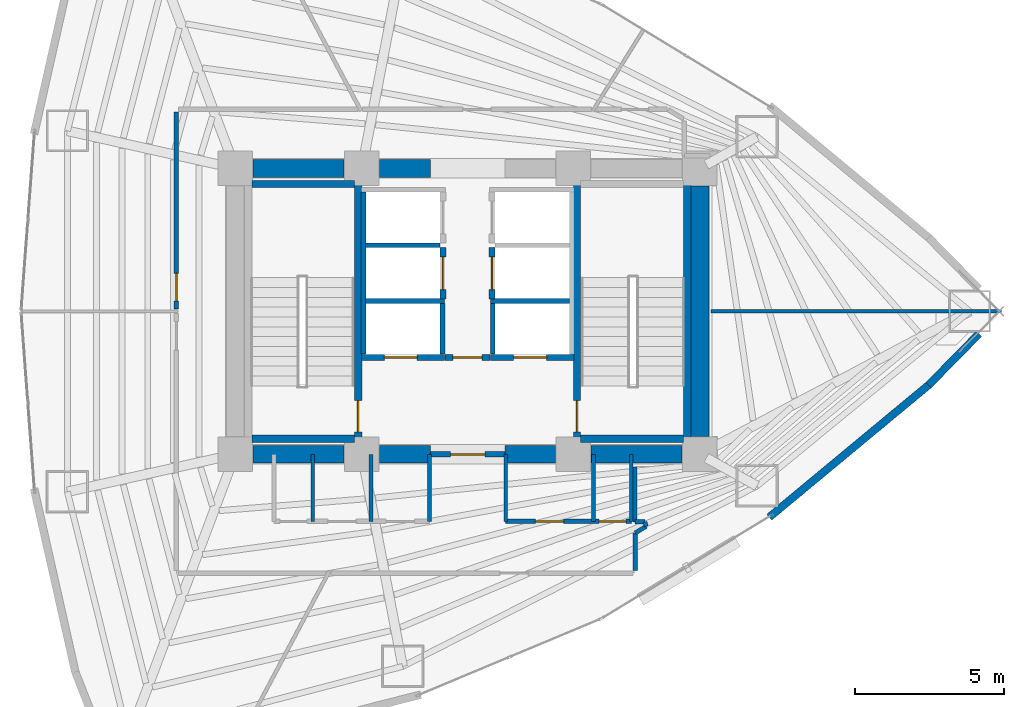
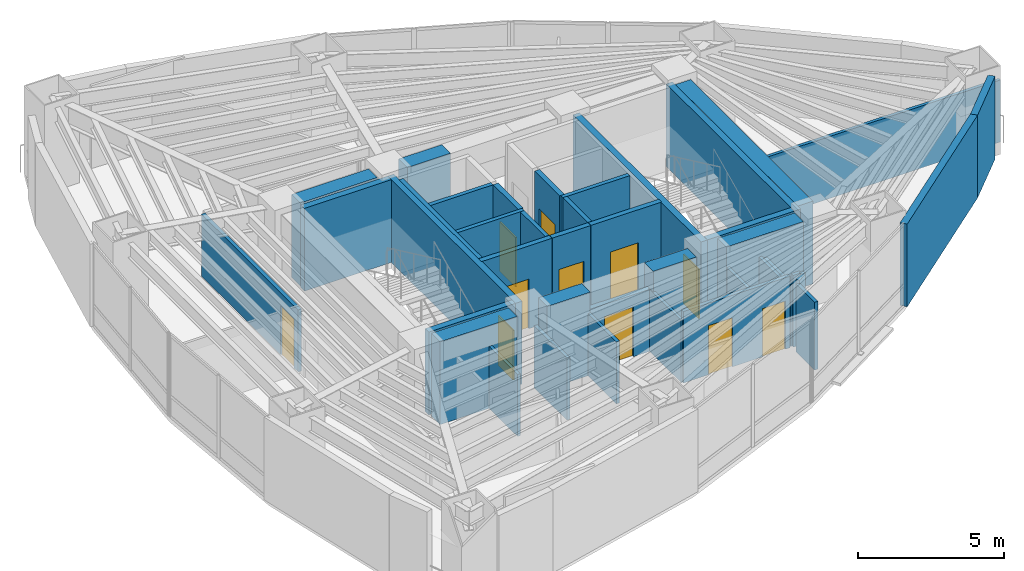
# One storey, part 14 of 18: 41 walls, 11 doors, 11 openings.
"""IFC4 building model written with IfcOpenShell, lengths in metres."""

from ifc_helpers import new_model, si_unit, direction, frame, frame_2d, origin, place, context, subcontext, project, spatial, rectangle, extrude, material, layer, layer_set, type_object, element, fill, save


model = new_model("IFC4")

# Units and contexts
model_context = context("Model", 3, precision=1e-05, world=origin(), true_north=direction((0.0, 1.0)))
body_context = subcontext(model_context, "Body", "Model", "MODEL_VIEW")
ifc_project = project(units=[si_unit("LENGTHUNIT", "METRE"), si_unit("AREAUNIT", "SQUARE_METRE"), si_unit("VOLUMEUNIT", "CUBIC_METRE"), si_unit("PLANEANGLEUNIT", "RADIAN"), si_unit("MASSUNIT", "GRAM", prefix="KILO")], contexts=[model_context])

# Site, building, storey
site_placement = place(None, origin())
site = spatial("IfcSite", under=ifc_project, at=site_placement, CompositionType="ELEMENT")
building_placement = place(site_placement, origin())
building = spatial("IfcBuilding", under=site, at=building_placement, Name="Menara Vayukalpa", CompositionType="ELEMENT")
storey_placement = place(building_placement, frame((0.0, 0.0, 31.320068359375)))
storey = spatial("IfcBuildingStorey", under=building, at=storey_placement, Name="L06", CompositionType="ELEMENT", Elevation=31.320068359375)

# Walls
ifc_material_1 = material(Name="Concrete C70/85", Category="concrete")
ifc_layer_1 = layer(ifc_material_1, 0.60009765625)
ifc_layer_set_1 = layer_set([ifc_layer_1], Name="Concrete C70/85")
wall_type_1 = type_object("IfcWallType", Name="WAL-CW600", PredefinedType="SHEAR", material=ifc_layer_set_1)
wall_1_placement = place(storey_placement, frame((18.39501953125, 17.199951171875, 0.0), z_axis=(0.0, 0.0, 1.0), x_axis=(1.0, 0.0, 0.0)))
element("IfcWall", 1, at=wall_1_placement, inside=storey, type_object=wall_type_1, Name="L06 Buttressed Core Shear Wall CWS1", PredefinedType="SHEAR", context=body_context, shape_type="SweptSolid", body=[
    extrude(rectangle(XDim=3.06005859375, YDim=0.60009765625, at=frame_2d((1.530029296875, 0.0))), origin(), (0.0, 0.0, 1.0), 3.469970703125),
])
wall_2_placement = place(storey_placement, frame((22.64501953125, 17.199951171875, 0.0), z_axis=(0.0, 0.0, 1.0), x_axis=(1.0, 0.0, 0.0)))
element("IfcWall", 2, at=wall_2_placement, inside=storey, type_object=wall_type_1, Name="L06 Buttressed Core Shear Wall CWS2", PredefinedType="SHEAR", context=body_context, shape_type="SweptSolid", body=[
    extrude(rectangle(XDim=1.705078125, YDim=0.60009765625, at=frame_2d((0.8525390625, 0.0))), origin(), (0.0, 0.0, 1.0), 3.469970703125),
])
wall_3_placement = place(storey_placement, frame((26.85009765625, 17.199951171875, 0.0), z_axis=(0.0, 0.0, 1.0), x_axis=(1.0, 0.0, 0.0)))
element("IfcWall", 3, at=wall_3_placement, inside=storey, type_object=wall_type_1, Name="L06 Buttressed Core Shear Wall CWS3", PredefinedType="SHEAR", context=body_context, shape_type="SweptSolid", body=[
    extrude(rectangle(XDim=1.704833984375, YDim=0.60009765625, at=frame_2d((0.8525390625, 0.0))), origin(), (0.0, 0.0, 1.0), 3.469970703125),
])
wall_4_placement = place(storey_placement, frame((29.7451171875, 17.199951171875, 0.0), z_axis=(0.0, 0.0, 1.0), x_axis=(1.0, 0.0, 0.0)))
element("IfcWall", 4, at=wall_4_placement, inside=storey, type_object=wall_type_1, Name="L06 Buttressed Core Shear Wall CWS4", PredefinedType="SHEAR", context=body_context, shape_type="SweptSolid", body=[
    extrude(rectangle(XDim=3.059814453125, YDim=0.60009765625, at=frame_2d((1.52978515625, 0.0))), origin(), (0.0, 0.0, 1.0), 3.469970703125),
])
wall_5_placement = place(storey_placement, frame((18.39501953125, 26.800048828125, 0.0), z_axis=(0.0, 0.0, 1.0), x_axis=(1.0, 0.0, 0.0)))
element("IfcWall", 5, at=wall_5_placement, inside=storey, type_object=wall_type_1, Name="L06 Buttressed Core Shear Wall CWN1", PredefinedType="SHEAR", context=body_context, shape_type="SweptSolid", body=[
    extrude(rectangle(XDim=3.06005859375, YDim=0.60009765625, at=frame_2d((1.530029296875, 0.0))), origin(), (0.0, 0.0, 1.0), 3.469970703125),
])
wall_6_placement = place(storey_placement, frame((22.64501953125, 26.800048828125, 0.0), z_axis=(0.0, 0.0, 1.0), x_axis=(1.0, 0.0, 0.0)))
element("IfcWall", 6, at=wall_6_placement, inside=storey, type_object=wall_type_1, Name="L06 Buttressed Core Shear Wall CWN2", PredefinedType="SHEAR", context=body_context, shape_type="SweptSolid", body=[
    extrude(rectangle(XDim=1.705078125, YDim=0.60009765625, at=frame_2d((0.8525390625, 0.0))), origin(), (0.0, 0.0, 1.0), 3.469970703125),
])
wall_7_placement = place(storey_placement, frame((33.39990234375, 17.794921875, 0.0), z_axis=(0.0, 0.0, 1.0), x_axis=(0.0, 1.0, 0.0)))
element("IfcWall", 7, at=wall_7_placement, inside=storey, type_object=wall_type_1, Name="L06 Buttressed Core Shear Wall CWE1", PredefinedType="SHEAR", context=body_context, shape_type="SweptSolid", body=[
    extrude(rectangle(XDim=8.41015625, YDim=0.60009765625, at=frame_2d((4.205078125, 0.0))), origin(), (0.0, 0.0, 1.0), 3.469970703125),
])
ifc_material_2 = material(Name="Insulated Precast Concrete C40/50", Category="concrete")
ifc_layer_2 = layer(ifc_material_2, 0.260009765625)
ifc_layer_set_2 = layer_set([ifc_layer_2], Name="Insulated Precast Concrete C40/50")
wall_type_2 = type_object("IfcWallType", Name="WAL-EXT260", PredefinedType="PARTITIONING", material=ifc_layer_set_2)
wall_8_placement = place(storey_placement, frame((42.770263671875, 21.24169921875, 0.0), z_axis=(0.0, 0.0, 1.0), x_axis=(-0.70059851419, -0.713555689427, 0.0)))
element("IfcWall", 8, at=wall_8_placement, inside=storey, type_object=wall_type_2, Name="L06 Perimeter Terracotta Pier Wall 01", PredefinedType="PARTITIONING", context=body_context, shape_type="SweptSolid", body=[
    extrude(rectangle(XDim=2.411865234375, YDim=0.260009765625, at=frame_2d((1.2060546875, 0.0))), origin(), (0.0, 0.0, 1.0), 3.469970703125),
])
wall_9_placement = place(storey_placement, frame((41.08935546875, 19.52880859375, 0.0), z_axis=(0.0, 0.0, 1.0), x_axis=(-0.769754596928, -0.638339925517, 0.0)))
element("IfcWall", 9, at=wall_9_placement, inside=storey, type_object=wall_type_2, Name="L06 Perimeter Terracotta Pier Wall 18", PredefinedType="PARTITIONING", context=body_context, shape_type="SweptSolid", body=[
    extrude(rectangle(XDim=6.959228515625, YDim=0.260009765625, at=frame_2d((3.4794921875, 0.0))), origin(), (0.0, 0.0, 1.0), 3.469970703125),
])
ifc_material_3 = material(Name="Lightweight Concrete Blockwork C16/20", Category="masonry")
ifc_layer_3 = layer(ifc_material_3, 0.159912109375)
ifc_layer_set_3 = layer_set([ifc_layer_3], Name="Lightweight Concrete Blockwork C16/20")
wall_type_3 = type_object("IfcWallType", Name="WAL-FR150", PredefinedType="PARTITIONING", material=ifc_layer_set_3)
wall_10_placement = place(storey_placement, frame((22.10498046875, 20.56005859375, 0.0), z_axis=(0.0, 0.0, 1.0), x_axis=(0.0, 1.0, 0.0)))
element("IfcWall", 10, at=wall_10_placement, inside=storey, type_object=wall_type_3, Name="L06 Interior Partition IW-L06-SHW-WW", PredefinedType="PARTITIONING", context=body_context, shape_type="SweptSolid", body=[
    extrude(rectangle(XDim=5.449951171875, YDim=0.159912109375, at=frame_2d((2.72509765625, 0.0))), origin(), (0.0, 0.0, 1.0), 3.469970703125),
])
wall_11_placement = place(storey_placement, frame((24.7548828125, 20.56005859375, 0.0), z_axis=(0.0, 0.0, 1.0), x_axis=(0.0, 1.0, 0.0)))
element("IfcWall", 11, at=wall_11_placement, inside=storey, type_object=wall_type_3, Name="L06 Interior Partition IW-L06-SHW-W1E", PredefinedType="PARTITIONING", context=body_context, shape_type="SweptSolid", body=[
    extrude(rectangle(XDim=1.7099609375, YDim=0.159912109375, at=frame_2d((0.85498046875, 0.0))), origin(), (0.0, 0.0, 1.0), 3.469970703125),
])
wall_12_placement = place(storey_placement, frame((22.179931640625, 22.344970703125, 0.0), z_axis=(0.0, 0.0, 1.0), x_axis=(1.0, 0.0, 0.0)))
element("IfcWall", 12, at=wall_12_placement, inside=storey, type_object=wall_type_3, Name="L06 Interior Partition IW-L06-SHM-W12", PredefinedType="PARTITIONING", context=body_context, shape_type="SweptSolid", body=[
    extrude(rectangle(XDim=2.650146484375, YDim=0.159912109375, at=frame_2d((1.3251953125, 0.0))), origin(), (0.0, 0.0, 1.0), 3.469970703125),
])
wall_13_placement = place(storey_placement, frame((22.179931640625, 24.215087890625, 0.0), z_axis=(0.0, 0.0, 1.0), x_axis=(1.0, 0.0, 0.0)))
element("IfcWall", 13, at=wall_13_placement, inside=storey, type_object=wall_type_3, Name="L06 Interior Partition IW-L06-SHM-W23", PredefinedType="PARTITIONING", context=body_context, shape_type="SweptSolid", body=[
    extrude(rectangle(XDim=2.489990234375, YDim=0.159912109375, at=frame_2d((1.2451171875, 0.0))), origin(), (0.0, 0.0, 1.0), 3.469970703125),
])
wall_14_placement = place(storey_placement, frame((26.445068359375, 20.56005859375, 0.0), z_axis=(0.0, 0.0, 1.0), x_axis=(0.0, 1.0, 0.0)))
element("IfcWall", 14, at=wall_14_placement, inside=storey, type_object=wall_type_3, Name="L06 Interior Partition IW-L06-SHW-E1W", PredefinedType="PARTITIONING", context=body_context, shape_type="SweptSolid", body=[
    extrude(rectangle(XDim=1.7099609375, YDim=0.159912109375, at=frame_2d((0.85498046875, 0.0))), origin(), (0.0, 0.0, 1.0), 3.469970703125),
])
wall_15_placement = place(storey_placement, frame((26.3701171875, 22.344970703125, 0.0), z_axis=(0.0, 0.0, 1.0), x_axis=(1.0, 0.0, 0.0)))
element("IfcWall", 15, at=wall_15_placement, inside=storey, type_object=wall_type_3, Name="L06 Interior Partition IW-L06-SHM-E13", PredefinedType="PARTITIONING", context=body_context, shape_type="SweptSolid", body=[
    extrude(rectangle(XDim=2.64990234375, YDim=0.159912109375, at=frame_2d((1.324951171875, 0.0))), origin(), (0.0, 0.0, 1.0), 3.469970703125),
])

# Wall, opening, door
ifc_material_4 = material(Name="Lightweight Concrete Blockwork C16/20", Category="masonry")
ifc_layer_4 = layer(ifc_material_4, 0.199951171875)
ifc_layer_set_4 = layer_set([ifc_layer_4], Name="Lightweight Concrete Blockwork C16/20")
wall_type_4 = type_object("IfcWallType", Name="WAL-FR200", PredefinedType="PARTITIONING", material=ifc_layer_set_4)
wall_16_placement = place(storey_placement, frame((24.35009765625, 17.199951171875, 0.0), z_axis=(0.0, 0.0, 1.0), x_axis=(1.0, 0.0, 0.0)))
wall_16 = element("IfcWall", 16, at=wall_16_placement, inside=storey, type_object=wall_type_4, Name="L06 Interior Partition IW-L06-FFLS", PredefinedType="PARTITIONING", context=body_context, shape_type="SweptSolid", body=[
    extrude(rectangle(XDim=2.5, YDim=0.199951171875, at=frame_2d((1.25, 0.0))), origin(), (0.0, 0.0, 1.0), 2.599853515625),
])
opening_1_placement = place(wall_16_placement, frame((0.679931640625, 0.0, 0.0)))
opening_1 = element("IfcOpeningElement", 17, at=opening_1_placement, cuts=wall_16, Name="Opening ID2", PredefinedType="OPENING", context=body_context, shape_type="SweptSolid", body=[
    extrude(rectangle(XDim=1.14990234375, YDim=2.080078125, at=frame_2d((0.574951171875, 1.0400390625))), frame((0.0, 0.10986328125, 0.0), z_axis=(0.0, -1.0, 0.0), x_axis=(1.0, 0.0, 0.0)), (0.0, 0.0, 1.0), 0.219970703125),
])
ifc_material_5 = material(Name="Fire-Rated Powder-Coated Steel Door", Category="steel")
door_type_1 = type_object("IfcDoorType", Name="DR-FD60W", OperationType="NOTDEFINED", PredefinedType="DOOR", material=ifc_material_5)
door_1_placement = place(opening_1_placement, origin())
door_1 = element("IfcDoor", 18, at=door_1_placement, inside=storey, type_object=door_type_1, Name="L06 Interior Door DR-L06-FFLS", OperationType="SINGLE_SWING_LEFT", OverallHeight=2.080078125, OverallWidth=1.14990234375, PredefinedType="DOOR", context=body_context, shape_type="SweptSolid", body=[
    extrude(rectangle(XDim=1.14990234375, YDim=2.080078125, at=frame_2d((0.574951171875, 1.0400390625))), frame((0.0, 0.02490234375, 0.0), z_axis=(0.0, -1.0, 0.0), x_axis=(1.0, 0.0, 0.0)), (0.0, 0.0, 1.0), 0.050048828125),
])
fill(opening_1, door_1)

wall_17_placement = place(storey_placement, frame((24.840087890625, 20.449951171875, 0.0), z_axis=(0.0, 0.0, 1.0), x_axis=(1.0, 0.0, 0.0)))
wall_17 = element("IfcWall", 19, at=wall_17_placement, inside=storey, type_object=wall_type_4, Name="L06 Interior Partition IW-L06-FFLN", PredefinedType="PARTITIONING", context=body_context, shape_type="SweptSolid", body=[
    extrude(rectangle(XDim=1.52001953125, YDim=0.199951171875, at=frame_2d((0.760009765625, 0.0))), origin(), (0.0, 0.0, 1.0), 3.469970703125),
])
opening_2_placement = place(wall_17_placement, frame((0.27001953125, 0.0, 0.0)))
opening_2 = element("IfcOpeningElement", 20, at=opening_2_placement, cuts=wall_17, Name="Opening ID3", PredefinedType="OPENING", context=body_context, shape_type="SweptSolid", body=[
    extrude(rectangle(XDim=0.97998046875, YDim=2.06005859375, at=frame_2d((0.489990234375, 1.030029296875))), frame((0.0, 0.10986328125, 0.0), z_axis=(0.0, -1.0, 0.0), x_axis=(1.0, 0.0, 0.0)), (0.0, 0.0, 1.0), 0.219970703125),
])
ifc_material_6 = material(Name="Fire-Rated Powder-Coated Steel Door", Category="steel")
door_type_2 = type_object("IfcDoorType", Name="DR-FD60", OperationType="NOTDEFINED", PredefinedType="DOOR", material=ifc_material_6)
door_2_placement = place(opening_2_placement, origin())
door_2 = element("IfcDoor", 21, at=door_2_placement, inside=storey, type_object=door_type_2, Name="L06 Interior Door DR-L06-FFLN", OperationType="SINGLE_SWING_RIGHT", OverallHeight=2.06005859375, OverallWidth=0.97998046875, PredefinedType="DOOR", context=body_context, shape_type="SweptSolid", body=[
    extrude(rectangle(XDim=0.97998046875, YDim=2.06005859375, at=frame_2d((0.489990234375, 1.030029296875))), frame((0.0, 0.02490234375, 0.0), z_axis=(0.0, -1.0, 0.0), x_axis=(1.0, 0.0, 0.0)), (0.0, 0.0, 1.0), 0.050048828125),
])
fill(opening_2, door_2)

wall_18_placement = place(storey_placement, frame((22.030029296875, 20.449951171875, 0.0), z_axis=(0.0, 0.0, 1.0), x_axis=(1.0, 0.0, 0.0)))
wall_18 = element("IfcWall", 22, at=wall_18_placement, inside=storey, type_object=wall_type_4, Name="L06 Interior Partition IW-L06-SH-W1", PredefinedType="PARTITIONING", context=body_context, shape_type="SweptSolid", body=[
    extrude(rectangle(XDim=2.800048828125, YDim=0.199951171875, at=frame_2d((1.39990234375, 0.0))), origin(), (0.0, 0.0, 1.0), 3.469970703125),
])
opening_3_placement = place(wall_18_placement, frame((0.780029296875, 0.0, 0.0)))
opening_3 = element("IfcOpeningElement", 23, at=opening_3_placement, cuts=wall_18, Name="Opening LD1", PredefinedType="OPENING", context=body_context, shape_type="SweptSolid", body=[
    extrude(rectangle(XDim=1.10009765625, YDim=2.080078125, at=frame_2d((0.550048828125, 1.0400390625))), frame((0.0, 0.10986328125, 0.0), z_axis=(0.0, -1.0, 0.0), x_axis=(1.0, 0.0, 0.0)), (0.0, 0.0, 1.0), 0.219970703125),
])
ifc_material_7 = material(Name="Brushed Stainless Steel 316 Lift Door", Category="steel")
door_type_3 = type_object("IfcDoorType", Name="DR-LD110", OperationType="NOTDEFINED", PredefinedType="DOOR", material=ifc_material_7)
door_3_placement = place(opening_3_placement, origin())
door_3 = element("IfcDoor", 24, at=door_3_placement, inside=storey, type_object=door_type_3, Name="L06 Interior Door DR-L06-LD-W1", OperationType="DOUBLE_DOOR_SLIDING", OverallHeight=2.080078125, OverallWidth=1.10009765625, PredefinedType="DOOR", context=body_context, shape_type="SweptSolid", body=[
    extrude(rectangle(XDim=1.10009765625, YDim=2.080078125, at=frame_2d((0.550048828125, 1.0400390625))), frame((0.0, 0.02490234375, 0.0), z_axis=(0.0, -1.0, 0.0), x_axis=(1.0, 0.0, 0.0)), (0.0, 0.0, 1.0), 0.050048828125),
])
fill(opening_3, door_3)

wall_19_placement = place(storey_placement, frame((26.3701171875, 20.449951171875, 0.0), z_axis=(0.0, 0.0, 1.0), x_axis=(1.0, 0.0, 0.0)))
wall_19 = element("IfcWall", 25, at=wall_19_placement, inside=storey, type_object=wall_type_4, Name="L06 Interior Partition IW-L06-SH-E1", PredefinedType="PARTITIONING", context=body_context, shape_type="SweptSolid", body=[
    extrude(rectangle(XDim=2.7998046875, YDim=0.199951171875, at=frame_2d((1.39990234375, 0.0))), origin(), (0.0, 0.0, 1.0), 3.469970703125),
])
opening_4_placement = place(wall_19_placement, frame((0.780029296875, 0.0, 0.0)))
opening_4 = element("IfcOpeningElement", 26, at=opening_4_placement, cuts=wall_19, Name="Opening LD1", PredefinedType="OPENING", context=body_context, shape_type="SweptSolid", body=[
    extrude(rectangle(XDim=1.10009765625, YDim=2.080078125, at=frame_2d((0.550048828125, 1.0400390625))), frame((0.0, 0.10986328125, 0.0), z_axis=(0.0, -1.0, 0.0), x_axis=(1.0, 0.0, 0.0)), (0.0, 0.0, 1.0), 0.219970703125),
])
door_4_placement = place(opening_4_placement, origin())
door_4 = element("IfcDoor", 27, at=door_4_placement, inside=storey, type_object=door_type_3, Name="L06 Interior Door DR-L06-LD-E1", OperationType="DOUBLE_DOOR_SLIDING", OverallHeight=2.080078125, OverallWidth=1.10009765625, PredefinedType="DOOR", context=body_context, shape_type="SweptSolid", body=[
    extrude(rectangle(XDim=1.10009765625, YDim=2.080078125, at=frame_2d((0.550048828125, 1.0400390625))), frame((0.0, 0.02490234375, 0.0), z_axis=(0.0, -1.0, 0.0), x_axis=(1.0, 0.0, 0.0)), (0.0, 0.0, 1.0), 0.050048828125),
])
fill(opening_4, door_4)

wall_20_placement = place(storey_placement, frame((24.780029296875, 22.419921875, 0.0), z_axis=(0.0, 0.0, 1.0), x_axis=(0.0, 1.0, 0.0)))
wall_20 = element("IfcWall", 28, at=wall_20_placement, inside=storey, type_object=wall_type_4, Name="L06 Interior Partition IW-L06-SH-W2", PredefinedType="PARTITIONING", context=body_context, shape_type="SweptSolid", body=[
    extrude(rectangle(XDim=1.719970703125, YDim=0.199951171875, at=frame_2d((0.85986328125, 0.0))), origin(), (0.0, 0.0, 1.0), 3.469970703125),
])
opening_5_placement = place(wall_20_placement, frame((0.31005859375, 0.0, 0.0)))
opening_5 = element("IfcOpeningElement", 29, at=opening_5_placement, cuts=wall_20, Name="Opening LD1", PredefinedType="OPENING", context=body_context, shape_type="SweptSolid", body=[
    extrude(rectangle(XDim=1.10009765625, YDim=2.080078125, at=frame_2d((0.550048828125, 1.0400390625))), frame((0.0, 0.10986328125, 0.0), z_axis=(0.0, -1.0, 0.0), x_axis=(1.0, 0.0, 0.0)), (0.0, 0.0, 1.0), 0.219970703125),
])
door_5_placement = place(opening_5_placement, origin())
door_5 = element("IfcDoor", 30, at=door_5_placement, inside=storey, type_object=door_type_3, Name="L06 Interior Door DR-L06-LD-W2", OperationType="DOUBLE_DOOR_SLIDING", OverallHeight=2.080078125, OverallWidth=1.10009765625, PredefinedType="DOOR", context=body_context, shape_type="SweptSolid", body=[
    extrude(rectangle(XDim=1.10009765625, YDim=2.080078125, at=frame_2d((0.550048828125, 1.0400390625))), frame((0.0, 0.02490234375, 0.0), z_axis=(0.0, -1.0, 0.0), x_axis=(1.0, 0.0, 0.0)), (0.0, 0.0, 1.0), 0.050048828125),
])
fill(opening_5, door_5)

wall_21_placement = place(storey_placement, frame((26.419921875, 22.419921875, 0.0), z_axis=(0.0, 0.0, 1.0), x_axis=(0.0, 1.0, 0.0)))
wall_21 = element("IfcWall", 31, at=wall_21_placement, inside=storey, type_object=wall_type_4, Name="L06 Interior Partition IW-L06-SH-E3", PredefinedType="PARTITIONING", context=body_context, shape_type="SweptSolid", body=[
    extrude(rectangle(XDim=1.719970703125, YDim=0.199951171875, at=frame_2d((0.85986328125, 0.0))), origin(), (0.0, 0.0, 1.0), 3.469970703125),
])
opening_6_placement = place(wall_21_placement, frame((0.31005859375, 0.0, 0.0)))
opening_6 = element("IfcOpeningElement", 32, at=opening_6_placement, cuts=wall_21, Name="Opening LD1", PredefinedType="OPENING", context=body_context, shape_type="SweptSolid", body=[
    extrude(rectangle(XDim=1.10009765625, YDim=2.080078125, at=frame_2d((0.550048828125, 1.0400390625))), frame((0.0, 0.10986328125, 0.0), z_axis=(0.0, -1.0, 0.0), x_axis=(1.0, 0.0, 0.0)), (0.0, 0.0, 1.0), 0.219970703125),
])
door_6_placement = place(opening_6_placement, origin())
door_6 = element("IfcDoor", 33, at=door_6_placement, inside=storey, type_object=door_type_3, Name="L06 Interior Door DR-L06-LD-E3", OperationType="DOUBLE_DOOR_SLIDING", OverallHeight=2.080078125, OverallWidth=1.10009765625, PredefinedType="DOOR", context=body_context, shape_type="SweptSolid", body=[
    extrude(rectangle(XDim=1.10009765625, YDim=2.080078125, at=frame_2d((0.550048828125, 1.0400390625))), frame((0.0, 0.02490234375, 0.0), z_axis=(0.0, -1.0, 0.0), x_axis=(1.0, 0.0, 0.0)), (0.0, 0.0, 1.0), 0.050048828125),
])
fill(opening_6, door_6)

# Walls
ifc_material_8 = material(Name="Acoustic Mineral Stud Partition", Category="masonry")
ifc_layer_5 = layer(ifc_material_8, 0.110107421875)
ifc_layer_set_5 = layer_set([ifc_layer_5], Name="Acoustic Mineral Stud Partition")
wall_type_5 = type_object("IfcWallType", Name="WAL-PT110", PredefinedType="PARTITIONING", material=ifc_layer_set_5)
for number, where, z_axis, x_axis, name in (
    (34, (20.39990234375, 14.949951171875, 0.0), (0.0, 0.0, 1.0), (0.0, 1.0, 0.0), "L06 Interior Partition IW-L06-SVCD-02"),
    (35, (26.8798828125, 14.949951171875, 0.0), (0.0, 0.0, 1.0), (0.0, 1.0, 0.0), "L06 Interior Partition IW-L06-SVCD-05"),
):
    element("IfcWall", number, at=place(storey_placement, frame(where, z_axis=z_axis, x_axis=x_axis)), inside=storey, type_object=wall_type_5, Name=name, PredefinedType="PARTITIONING", context=body_context, shape_type="SweptSolid", body=[
        extrude(rectangle(XDim=2.25, YDim=0.110107421875, at=frame_2d((1.125, 0.0))), origin(), (0.0, 0.0, 1.0), 2.599853515625),
    ])
ifc_material_9 = material(Name="Gypsum Drywall Steel Stud Assembly", Category="steel")
ifc_layer_6 = layer(ifc_material_9, 0.125)
ifc_layer_set_6 = layer_set([ifc_layer_6], Name="Gypsum Drywall Steel Stud Assembly")
wall_type_6 = type_object("IfcWallType", Name="WAL-PT125", PredefinedType="PARTITIONING", material=ifc_layer_set_6)
for number, where, z_axis, x_axis, name in (
    (36, (22.360107421875, 14.949951171875, 0.0), (0.0, 0.0, 1.0), (0.0, 1.0, 0.0), "L06 Interior Partition IW-L06-SVCD-03"),
    (37, (24.320068359375, 14.949951171875, 0.0), (0.0, 0.0, 1.0), (0.0, 1.0, 0.0), "L06 Interior Partition IW-L06-SVCD-04"),
    (38, (29.830078125, 14.949951171875, 0.0), (0.0, 0.0, 1.0), (0.0, 1.0, 0.0), "L06 Interior Partition IW-L06-SVCD-06"),
    (39, (31.10009765625, 14.949951171875, 0.0), (0.0, 0.0, 1.0), (0.0, 1.0, 0.0), "L06 Interior Partition IW-L06-SVCD-07"),
):
    element("IfcWall", number, at=place(storey_placement, frame(where, z_axis=z_axis, x_axis=x_axis)), inside=storey, type_object=wall_type_6, Name=name, PredefinedType="PARTITIONING", context=body_context, shape_type="SweptSolid", body=[
        extrude(rectangle(XDim=2.25, YDim=0.125, at=frame_2d((1.125, 0.0))), origin(), (0.0, 0.0, 1.0), 2.599853515625),
    ])
wall_22_placement = place(storey_placement, frame((33.77001953125, 22.0, 0.0), z_axis=(0.0, 0.0, 1.0), x_axis=(1.0, 0.0, 0.0)))
element("IfcWall", 40, at=wall_22_placement, inside=storey, type_object=wall_type_6, Name="L06 Interior Partition IW-L06-RDIV01", PredefinedType="PARTITIONING", context=body_context, shape_type="SweptSolid", body=[
    extrude(rectangle(XDim=9.7548828125, YDim=0.125, at=frame_2d((4.87744140625, 0.0))), origin(), (0.0, 0.0, 1.0), 2.599853515625),
])

# Wall, openings, doors
ifc_material_10 = material(Name="Gypsum Drywall Acoustic Stud Assembly", Category="masonry")
ifc_layer_7 = layer(ifc_material_10, 0.14501953125)
ifc_layer_set_7 = layer_set([ifc_layer_7], Name="Gypsum Drywall Acoustic Stud Assembly")
wall_type_7 = type_object("IfcWallType", Name="WAL-PT150", PredefinedType="PARTITIONING", material=ifc_layer_set_7)
wall_23_placement = place(storey_placement, frame((26.8798828125, 14.949951171875, 0.0), z_axis=(0.0, 0.0, 1.0), x_axis=(1.0, 0.0, 0.0)))
wall_23 = element("IfcWall", 41, at=wall_23_placement, inside=storey, type_object=wall_type_7, Name="L06 Interior Partition IW-L06-SVCS-E", PredefinedType="PARTITIONING", context=body_context, shape_type="SweptSolid", body=[
    extrude(rectangle(XDim=4.22021484375, YDim=0.14501953125, at=frame_2d((2.110107421875, 0.0))), origin(), (0.0, 0.0, 1.0), 3.0),
])
opening_7_placement = place(wall_23_placement, frame((0.9951171875, 0.0, 0.0)))
opening_7 = element("IfcOpeningElement", 42, at=opening_7_placement, cuts=wall_23, Name="Opening ID5", PredefinedType="OPENING", context=body_context, shape_type="SweptSolid", body=[
    extrude(rectangle(XDim=0.949951171875, YDim=2.06005859375, at=frame_2d((0.47509765625, 1.030029296875))), frame((0.0, 0.08251953125, 0.0), z_axis=(0.0, -1.0, 0.0), x_axis=(1.0, 0.0, 0.0)), (0.0, 0.0, 1.0), 0.1650390625),
])
opening_8_placement = place(wall_23_placement, frame((3.139892578125, 0.0, 0.0)))
opening_8 = element("IfcOpeningElement", 43, at=opening_8_placement, cuts=wall_23, Name="Opening ID7", PredefinedType="OPENING", context=body_context, shape_type="SweptSolid", body=[
    extrude(rectangle(XDim=0.89990234375, YDim=2.02001953125, at=frame_2d((0.449951171875, 1.010009765625))), frame((0.0, 0.08251953125, 0.0), z_axis=(0.0, -1.0, 0.0), x_axis=(1.0, 0.0, 0.0)), (0.0, 0.0, 1.0), 0.1650390625),
])
ifc_material_11 = material(Name="Acoustic Hardwood Veneer Timber Door", Category="wood")
door_type_4 = type_object("IfcDoorType", Name="DR-INT95", OperationType="NOTDEFINED", PredefinedType="DOOR", material=ifc_material_11)
door_7_placement = place(opening_7_placement, origin())
door_7 = element("IfcDoor", 44, at=door_7_placement, inside=storey, type_object=door_type_4, Name="L06 Interior Door DR-L06-KSV1", OperationType="SINGLE_SWING_RIGHT", OverallHeight=2.06005859375, OverallWidth=0.949951171875, PredefinedType="DOOR", context=body_context, shape_type="SweptSolid", body=[
    extrude(rectangle(XDim=0.949951171875, YDim=2.06005859375, at=frame_2d((0.47509765625, 1.030029296875))), frame((0.0, 0.02490234375, 0.0), z_axis=(0.0, -1.0, 0.0), x_axis=(1.0, 0.0, 0.0)), (0.0, 0.0, 1.0), 0.050048828125),
])
fill(opening_7, door_7)
ifc_material_12 = material(Name="Powder-Coated Steel Riser Access Door", Category="steel")
door_type_5 = type_object("IfcDoorType", Name="DR-RISER", OperationType="NOTDEFINED", PredefinedType="DOOR", material=ifc_material_12)
door_8_placement = place(opening_8_placement, origin())
door_8 = element("IfcDoor", 45, at=door_8_placement, inside=storey, type_object=door_type_5, Name="L06 Interior Door DR-L06-SMD", OperationType="SINGLE_SWING_LEFT", OverallHeight=2.02001953125, OverallWidth=0.89990234375, PredefinedType="DOOR", context=body_context, shape_type="SweptSolid", body=[
    extrude(rectangle(XDim=0.89990234375, YDim=2.02001953125, at=frame_2d((0.449951171875, 1.010009765625))), frame((0.0, 0.02490234375, 0.0), z_axis=(0.0, -1.0, 0.0), x_axis=(1.0, 0.0, 0.0)), (0.0, 0.0, 1.0), 0.050048828125),
])
fill(opening_8, door_8)

# Walls
wall_24_placement = place(storey_placement, frame((31.22998046875, 13.2900390625, 0.0), z_axis=(0.0, 0.0, 1.0), x_axis=(0.0, 1.0, 0.0)))
element("IfcWall", 46, at=wall_24_placement, inside=storey, type_object=wall_type_7, Name="L06 Interior Partition IW-L06-CRM03-2", PredefinedType="PARTITIONING", context=body_context, shape_type="SweptSolid", body=[
    extrude(rectangle(XDim=1.26806640625, YDim=0.14501953125, at=frame_2d((0.634033203125, 0.0))), origin(), (0.0, 0.0, 1.0), 2.849853515625),
])
wall_25_placement = place(storey_placement, frame((31.22998046875, 14.55810546875, 0.0), z_axis=(0.0, 0.0, 1.0), x_axis=(0.854931196424, 0.518741408971, 0.0)))
element("IfcWall", 47, at=wall_25_placement, inside=storey, type_object=wall_type_7, Name="L06 Interior Partition IW-L06-CRM03-3", PredefinedType="PARTITIONING", context=body_context, shape_type="SweptSolid", body=[
    extrude(rectangle(XDim=0.4306640625, YDim=0.14501953125, at=frame_2d((0.21533203125, 0.0))), origin(), (0.0, 0.0, 1.0), 3.0),
])
wall_26_placement = place(storey_placement, frame((31.556640625, 14.929931640625, 0.0), z_axis=(0.0, 0.0, 1.0), x_axis=(-1.0, 0.0, 0.0)))
element("IfcWall", 48, at=wall_26_placement, inside=storey, type_object=wall_type_7, Name="L06 Interior Partition IW-L06-CRM03-4", PredefinedType="PARTITIONING", context=body_context, shape_type="SweptSolid", body=[
    extrude(rectangle(XDim=0.336669921875, YDim=0.14501953125, at=frame_2d((0.16845703125, 0.0))), origin(), (0.0, 0.0, 1.0), 3.0),
])
wall_27_placement = place(storey_placement, frame((31.219970703125, 14.929931640625, 0.0), z_axis=(0.0, 0.0, 1.0), x_axis=(0.0, 1.0, 0.0)))
element("IfcWall", 49, at=wall_27_placement, inside=storey, type_object=wall_type_7, Name="L06 Interior Partition IW-L06-CRM03-5", PredefinedType="PARTITIONING", context=body_context, shape_type="SweptSolid", body=[
    extrude(rectangle(XDim=1.85009765625, YDim=0.14501953125, at=frame_2d((0.925048828125, 0.0))), origin(), (0.0, 0.0, 1.0), 2.599853515625),
])

# Wall, opening, door
wall_28_placement = place(storey_placement, frame((15.820068359375, 28.699951171875, 0.0), z_axis=(0.0, 0.0, 1.0), x_axis=(0.0, -1.0, 0.0)))
wall_28 = element("IfcWall", 50, at=wall_28_placement, inside=storey, type_object=wall_type_7, Name="L06 Interior Partition IW-L06-CRM06-2", PredefinedType="PARTITIONING", context=body_context, shape_type="SweptSolid", body=[
    extrude(rectangle(XDim=6.6298828125, YDim=0.14501953125, at=frame_2d((3.31494140625, 0.0))), origin(), (0.0, 0.0, 1.0), 2.599853515625),
])
opening_9_placement = place(wall_28_placement, frame((5.429931640625, 0.0, 0.0)))
opening_9 = element("IfcOpeningElement", 51, at=opening_9_placement, cuts=wall_28, Name="Opening ID6", PredefinedType="OPENING", context=body_context, shape_type="SweptSolid", body=[
    extrude(rectangle(XDim=0.919921875, YDim=2.050048828125, at=frame_2d((0.4599609375, 1.02490234375))), frame((0.0, 0.08251953125, 0.0), z_axis=(0.0, -1.0, 0.0), x_axis=(1.0, 0.0, 0.0)), (0.0, 0.0, 1.0), 0.1650390625),
])
ifc_material_13 = material(Name="Acoustic Hardwood Veneer Timber Door", Category="wood")
door_type_6 = type_object("IfcDoorType", Name="DR-INT92", OperationType="NOTDEFINED", PredefinedType="DOOR", material=ifc_material_13)
door_9_placement = place(opening_9_placement, origin())
door_9 = element("IfcDoor", 52, at=door_9_placement, inside=storey, type_object=door_type_6, Name="L06 Interior Door DR-L06-RM06", OperationType="SINGLE_SWING_RIGHT", OverallHeight=2.050048828125, OverallWidth=0.919921875, PredefinedType="DOOR", context=body_context, shape_type="SweptSolid", body=[
    extrude(rectangle(XDim=0.919921875, YDim=2.050048828125, at=frame_2d((0.4599609375, 1.02490234375))), frame((0.0, 0.02490234375, 0.0), z_axis=(0.0, -1.0, 0.0), x_axis=(1.0, 0.0, 0.0)), (0.0, 0.0, 1.0), 0.050048828125),
])
fill(opening_9, door_9)

# Wall
wall_29_placement = place(storey_placement, frame((31.59814453125, 14.781494140625, 0.0), z_axis=(0.0, 0.0, 1.0), x_axis=(-0.269277388617, 0.963062660464, 0.0)))
element("IfcWall", 53, at=wall_29_placement, inside=storey, type_object=wall_type_7, Name="L06 Interior Partition IW-L06-CRM03-3-R1", PredefinedType="PARTITIONING", context=body_context, shape_type="SweptSolid", body=[
    extrude(rectangle(XDim=0.154052734375, YDim=0.14501953125, at=frame_2d((0.0771484375, 0.0))), origin(), (0.0, 0.0, 1.0), 3.0),
])

# Wall, opening, door
ifc_material_14 = material(Name="Concrete C50/60", Category="concrete")
ifc_layer_8 = layer(ifc_material_14, 0.25)
ifc_layer_set_8 = layer_set([ifc_layer_8], Name="Concrete C50/60")
wall_type_8 = type_object("IfcWallType", Name="WAL-SW250", PredefinedType="SHEAR", material=ifc_layer_set_8)
wall_30_placement = place(storey_placement, frame((21.925048828125, 17.60009765625, 0.0), z_axis=(0.0, 0.0, 1.0), x_axis=(0.0, 1.0, 0.0)))
wall_30 = element("IfcWall", 54, at=wall_30_placement, inside=storey, type_object=wall_type_8, Name="L06 ST1 Structural Stair Shaft Wall E", PredefinedType="SHEAR", context=body_context, shape_type="SweptSolid", body=[
    extrude(rectangle(XDim=8.7998046875, YDim=0.25, at=frame_2d((4.39990234375, 0.0))), origin(), (0.0, 0.0, 1.0), 3.469970703125),
])
opening_10_placement = place(wall_30_placement, frame((0.35009765625, 0.0, 0.0)))
opening_10 = element("IfcOpeningElement", 55, at=opening_10_placement, cuts=wall_30, Name="Opening ID1", PredefinedType="OPENING", context=body_context, shape_type="SweptSolid", body=[
    extrude(rectangle(XDim=1.050048828125, YDim=2.080078125, at=frame_2d((0.52490234375, 1.0400390625))), frame((0.0, 0.135009765625, 0.0), z_axis=(0.0, -1.0, 0.0), x_axis=(1.0, 0.0, 0.0)), (0.0, 0.0, 1.0), 0.27001953125),
])
ifc_material_15 = material(Name="Fire-Rated Powder-Coated Steel Door", Category="steel")
door_type_7 = type_object("IfcDoorType", Name="DR-FD120", OperationType="NOTDEFINED", PredefinedType="DOOR", material=ifc_material_15)
door_10_placement = place(opening_10_placement, origin())
door_10 = element("IfcDoor", 56, at=door_10_placement, inside=storey, type_object=door_type_7, Name="L06 Stair Exit Door DR-L06-ST1", OperationType="SINGLE_SWING_LEFT", OverallHeight=2.080078125, OverallWidth=1.050048828125, PredefinedType="DOOR", context=body_context, shape_type="SweptSolid", body=[
    extrude(rectangle(XDim=1.050048828125, YDim=2.080078125, at=frame_2d((0.52490234375, 1.0400390625))), frame((0.0, 0.02490234375, 0.0), z_axis=(0.0, -1.0, 0.0), x_axis=(1.0, 0.0, 0.0)), (0.0, 0.0, 1.0), 0.050048828125),
])
fill(opening_10, door_10)

# Walls
for number, where, z_axis, x_axis, name in (
    (57, (18.35400390625, 17.72509765625, 0.0), (0.0, 0.0, 1.0), (1.0, 0.0, 0.0), "L06 ST1 Structural Stair Shaft Wall S"),
    (58, (18.35400390625, 26.27490234375, 0.0), (0.0, 0.0, 1.0), (1.0, 0.0, 0.0), "L06 ST1 Structural Stair Shaft Wall N"),
):
    element("IfcWall", number, at=place(storey_placement, frame(where, z_axis=z_axis, x_axis=x_axis)), inside=storey, type_object=wall_type_8, Name=name, PredefinedType="SHEAR", context=body_context, shape_type="SweptSolid", body=[
        extrude(rectangle(XDim=3.446044921875, YDim=0.25, at=frame_2d((1.72314453125, 0.0))), origin(), (0.0, 0.0, 1.0), 3.469970703125),
    ])

# Wall, opening, door
wall_31_placement = place(storey_placement, frame((29.27490234375, 17.60009765625, 0.0), z_axis=(0.0, 0.0, 1.0), x_axis=(0.0, 1.0, 0.0)))
wall_31 = element("IfcWall", 59, at=wall_31_placement, inside=storey, type_object=wall_type_8, Name="L06 ST2 Structural Stair Shaft Wall W", PredefinedType="SHEAR", context=body_context, shape_type="SweptSolid", body=[
    extrude(rectangle(XDim=8.7998046875, YDim=0.25, at=frame_2d((4.39990234375, 0.0))), origin(), (0.0, 0.0, 1.0), 3.469970703125),
])
opening_11_placement = place(wall_31_placement, frame((0.35009765625, 0.0, 0.0)))
opening_11 = element("IfcOpeningElement", 60, at=opening_11_placement, cuts=wall_31, Name="Opening ID1", PredefinedType="OPENING", context=body_context, shape_type="SweptSolid", body=[
    extrude(rectangle(XDim=1.050048828125, YDim=2.080078125, at=frame_2d((0.52490234375, 1.0400390625))), frame((0.0, 0.135009765625, 0.0), z_axis=(0.0, -1.0, 0.0), x_axis=(1.0, 0.0, 0.0)), (0.0, 0.0, 1.0), 0.27001953125),
])
door_11_placement = place(opening_11_placement, origin())
door_11 = element("IfcDoor", 61, at=door_11_placement, inside=storey, type_object=door_type_7, Name="L06 Stair Exit Door DR-L06-ST2", OperationType="SINGLE_SWING_RIGHT", OverallHeight=2.080078125, OverallWidth=1.050048828125, PredefinedType="DOOR", context=body_context, shape_type="SweptSolid", body=[
    extrude(rectangle(XDim=1.050048828125, YDim=2.080078125, at=frame_2d((0.52490234375, 1.0400390625))), frame((0.0, 0.02490234375, 0.0), z_axis=(0.0, -1.0, 0.0), x_axis=(1.0, 0.0, 0.0)), (0.0, 0.0, 1.0), 0.050048828125),
])
fill(opening_11, door_11)

# Walls
wall_32_placement = place(storey_placement, frame((32.970947265625, 17.60009765625, 0.0), z_axis=(0.0, 0.0, 1.0), x_axis=(0.0, 1.0, 0.0)))
element("IfcWall", 62, at=wall_32_placement, inside=storey, type_object=wall_type_8, Name="L06 ST2 Structural Stair Shaft Wall E", PredefinedType="SHEAR", context=body_context, shape_type="SweptSolid", body=[
    extrude(rectangle(XDim=8.7998046875, YDim=0.25, at=frame_2d((4.39990234375, 0.0))), origin(), (0.0, 0.0, 1.0), 3.469970703125),
])
wall_33_placement = place(storey_placement, frame((29.39990234375, 17.72509765625, 0.0), z_axis=(0.0, 0.0, 1.0), x_axis=(1.0, 0.0, 0.0)))
element("IfcWall", 63, at=wall_33_placement, inside=storey, type_object=wall_type_8, Name="L06 ST2 Structural Stair Shaft Wall S", PredefinedType="SHEAR", context=body_context, shape_type="SweptSolid", body=[
    extrude(rectangle(XDim=3.446044921875, YDim=0.25, at=frame_2d((1.72314453125, 0.0))), origin(), (0.0, 0.0, 1.0), 3.469970703125),
])

save(model, "model.ifc")
